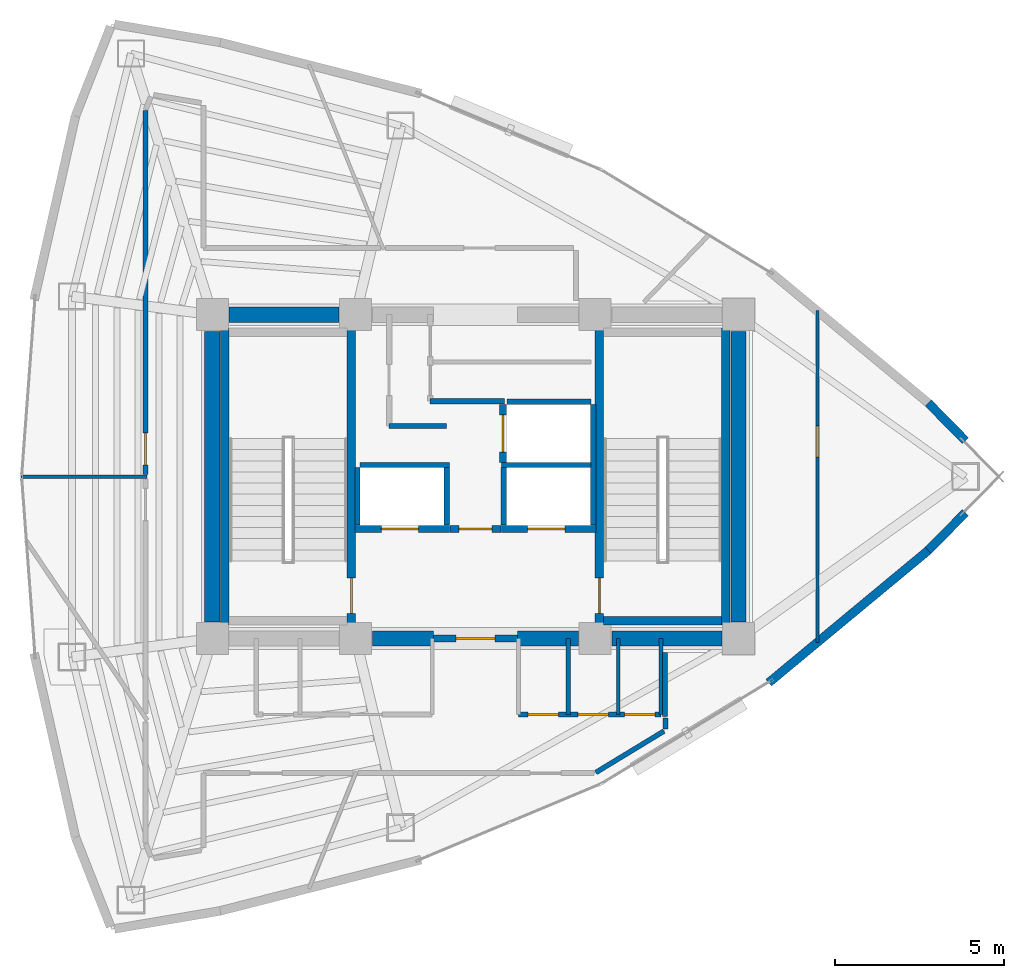
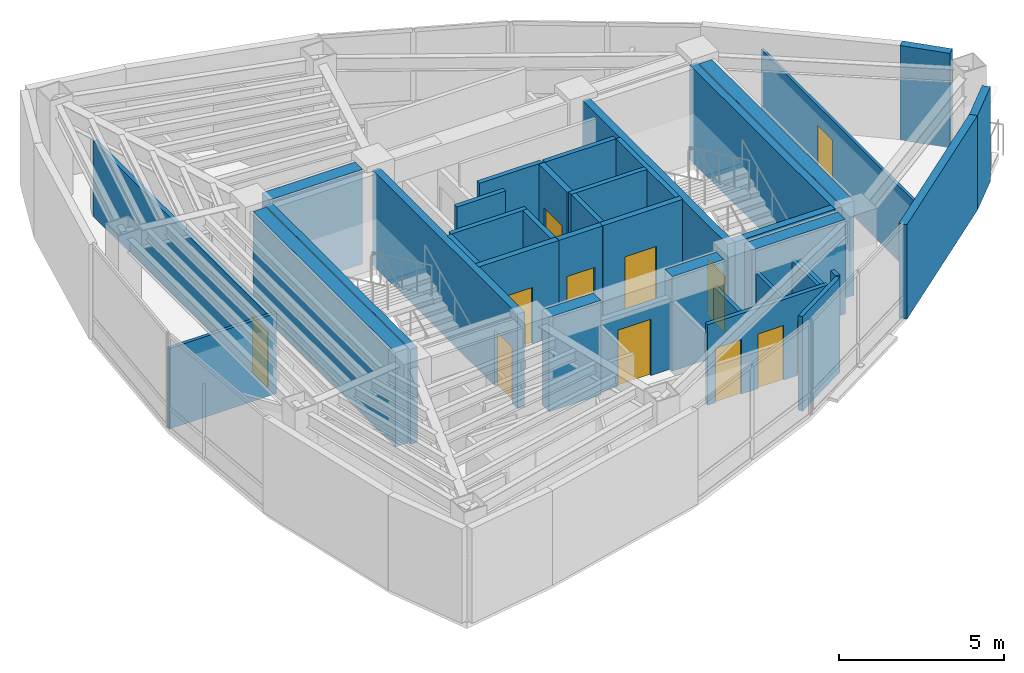
# One storey, part 12 of 15: 38 walls, 12 doors, 12 openings.
"""IFC4 building model written with IfcOpenShell, lengths in metres."""

from ifc_helpers import new_model, si_unit, direction, frame, frame_2d, origin, place, context, subcontext, project, spatial, rectangle, extrude, material, layer, layer_set, type_object, element, fill, save


model = new_model("IFC4")

# Units and contexts
model_context = context("Model", 3, precision=1e-05, world=origin(), true_north=direction((0.0, 1.0)))
body_context = subcontext(model_context, "Body", "Model", "MODEL_VIEW")
ifc_project = project(units=[si_unit("LENGTHUNIT", "METRE"), si_unit("AREAUNIT", "SQUARE_METRE"), si_unit("VOLUMEUNIT", "CUBIC_METRE"), si_unit("PLANEANGLEUNIT", "RADIAN"), si_unit("MASSUNIT", "GRAM", prefix="KILO")], contexts=[model_context])

# Site, building, storey
site_placement = place(None, origin())
site = spatial("IfcSite", under=ifc_project, at=site_placement, CompositionType="ELEMENT")
building_placement = place(site_placement, origin())
building = spatial("IfcBuilding", under=site, at=building_placement, Name="Menara Vayukalpa", CompositionType="ELEMENT")
storey_placement = place(building_placement, frame((0.0, 0.0, 265.739990234375)))
storey = spatial("IfcBuildingStorey", under=building, at=storey_placement, Name="L67", CompositionType="ELEMENT", Elevation=265.739990234375)

# Walls
ifc_material_1 = material(Name="Concrete C50/60", Category="concrete")
ifc_layer_1 = layer(ifc_material_1, 0.449951171875)
ifc_layer_set_1 = layer_set([ifc_layer_1], Name="Concrete C50/60")
wall_type_1 = type_object("IfcWallType", Name="WAL-CW450", PredefinedType="SHEAR", material=ifc_layer_set_1)
wall_1_placement = place(storey_placement, frame((22.544921875, 17.199951171875, 0.0), z_axis=(0.0, 0.0, 1.0), x_axis=(1.0, 0.0, 0.0)))
element("IfcWall", 1, at=wall_1_placement, inside=storey, type_object=wall_type_1, Name="L67 Buttressed Core Shear Wall CWS2", PredefinedType="SHEAR", context=body_context, shape_type="SweptSolid", body=[
    extrude(rectangle(XDim=1.80517578125, YDim=0.449951171875, at=frame_2d((0.902587890625, 0.0))), origin(), (0.0, 0.0, 1.0), 3.5),
])
wall_2_placement = place(storey_placement, frame((26.85009765625, 17.199951171875, 0.0), z_axis=(0.0, 0.0, 1.0), x_axis=(1.0, 0.0, 0.0)))
element("IfcWall", 2, at=wall_2_placement, inside=storey, type_object=wall_type_1, Name="L67 Buttressed Core Shear Wall CWS3", PredefinedType="SHEAR", context=body_context, shape_type="SweptSolid", body=[
    extrude(rectangle(XDim=1.804931640625, YDim=0.449951171875, at=frame_2d((0.90234375, 0.0))), origin(), (0.0, 0.0, 1.0), 3.5),
])
for number, where, z_axis, x_axis, name in (
    (3, (29.64501953125, 17.199951171875, 0.0), (0.0, 0.0, 1.0), (1.0, 0.0, 0.0), "L67 Buttressed Core Shear Wall CWS4"),
    (4, (18.294921875, 26.800048828125, 0.0), (0.0, 0.0, 1.0), (1.0, 0.0, 0.0), "L67 Buttressed Core Shear Wall CWN1"),
):
    element("IfcWall", number, at=place(storey_placement, frame(where, z_axis=z_axis, x_axis=x_axis)), inside=storey, type_object=wall_type_1, Name=name, PredefinedType="SHEAR", context=body_context, shape_type="SweptSolid", body=[
        extrude(rectangle(XDim=3.260009765625, YDim=0.449951171875, at=frame_2d((1.6298828125, 0.0))), origin(), (0.0, 0.0, 1.0), 3.5),
    ])
for number, where, z_axis, x_axis, name in (
    (5, (17.800048828125, 17.695068359375, 0.0), (0.0, 0.0, 1.0), (0.0, 1.0, 0.0), "L67 Buttressed Core Shear Wall CWW1"),
    (6, (33.39990234375, 17.695068359375, 0.0), (0.0, 0.0, 1.0), (0.0, 1.0, 0.0), "L67 Buttressed Core Shear Wall CWE1"),
):
    element("IfcWall", number, at=place(storey_placement, frame(where, z_axis=z_axis, x_axis=x_axis)), inside=storey, type_object=wall_type_1, Name=name, PredefinedType="SHEAR", context=body_context, shape_type="SweptSolid", body=[
        extrude(rectangle(XDim=8.60986328125, YDim=0.449951171875, at=frame_2d((4.304931640625, 0.0))), origin(), (0.0, 0.0, 1.0), 3.5),
    ])
ifc_material_2 = material(Name="Insulated Precast Concrete C40/50", Category="concrete")
ifc_layer_2 = layer(ifc_material_2, 0.260009765625)
ifc_layer_set_2 = layer_set([ifc_layer_2], Name="Insulated Precast Concrete C40/50")
wall_type_2 = type_object("IfcWallType", Name="WAL-EXT260", PredefinedType="PARTITIONING", material=ifc_layer_set_2)
for number, where, z_axis, x_axis, name in (
    (7, (40.1240234375, 20.932861328125, 0.0), (0.0, 0.0, 1.0), (-0.700470648387, -0.71368121087, 0.0), "L67 Perimeter Terracotta Pier Wall 01"),
    (8, (39.023681640625, 24.188232421875, 0.0), (0.0, 0.0, 1.0), (0.700470648387, -0.71368121087, 0.0), "L67 Perimeter Terracotta Pier Wall 02"),
):
    element("IfcWall", number, at=place(storey_placement, frame(where, z_axis=z_axis, x_axis=x_axis)), inside=storey, type_object=wall_type_2, Name=name, PredefinedType="PARTITIONING", context=body_context, shape_type="SweptSolid", body=[
        extrude(rectangle(XDim=1.57080078125, YDim=0.260009765625, at=frame_2d((0.785400390625, 0.0))), origin(), (0.0, 0.0, 1.0), 3.5),
    ])
wall_3_placement = place(storey_placement, frame((39.032470703125, 19.81982421875, 0.0), z_axis=(0.0, 0.0, 1.0), x_axis=(-0.769779830138, -0.638309496337, 0.0)))
element("IfcWall", 9, at=wall_3_placement, inside=storey, type_object=wall_type_2, Name="L67 Perimeter Terracotta Pier Wall 18", PredefinedType="PARTITIONING", context=body_context, shape_type="SweptSolid", body=[
    extrude(rectangle(XDim=6.154052734375, YDim=0.260009765625, at=frame_2d((3.0771484375, 0.0))), origin(), (0.0, 0.0, 1.0), 3.5),
])
ifc_material_3 = material(Name="Lightweight Concrete Blockwork C16/20", Category="masonry")
ifc_layer_3 = layer(ifc_material_3, 0.159912109375)
ifc_layer_set_3 = layer_set([ifc_layer_3], Name="Lightweight Concrete Blockwork C16/20")
wall_type_3 = type_object("IfcWallType", Name="WAL-FR150", PredefinedType="PARTITIONING", material=ifc_layer_set_3)
for number, where, z_axis, x_axis, name in (
    (10, (22.10498046875, 20.56005859375, 0.0), (0.0, 0.0, 1.0), (0.0, 1.0, 0.0), "L67 Interior Partition IW-L67-SHW-WW"),
    (11, (24.7548828125, 20.56005859375, 0.0), (0.0, 0.0, 1.0), (0.0, 1.0, 0.0), "L67 Interior Partition IW-L67-SHW-W1E"),
):
    element("IfcWall", number, at=place(storey_placement, frame(where, z_axis=z_axis, x_axis=x_axis)), inside=storey, type_object=wall_type_3, Name=name, PredefinedType="PARTITIONING", context=body_context, shape_type="SweptSolid", body=[
        extrude(rectangle(XDim=1.7099609375, YDim=0.159912109375, at=frame_2d((0.85498046875, 0.0))), origin(), (0.0, 0.0, 1.0), 3.5),
    ])
wall_4_placement = place(storey_placement, frame((22.179931640625, 22.344970703125, 0.0), z_axis=(0.0, 0.0, 1.0), x_axis=(1.0, 0.0, 0.0)))
element("IfcWall", 12, at=wall_4_placement, inside=storey, type_object=wall_type_3, Name="L67 Interior Partition IW-L67-SHM-W12", PredefinedType="PARTITIONING", context=body_context, shape_type="SweptSolid", body=[
    extrude(rectangle(XDim=2.650146484375, YDim=0.159912109375, at=frame_2d((1.3251953125, 0.0))), origin(), (0.0, 0.0, 1.0), 3.5),
])
wall_5_placement = place(storey_placement, frame((29.094970703125, 20.56005859375, 0.0), z_axis=(0.0, 0.0, 1.0), x_axis=(0.0, 1.0, 0.0)))
element("IfcWall", 13, at=wall_5_placement, inside=storey, type_object=wall_type_3, Name="L67 Interior Partition IW-L67-SHW-EE", PredefinedType="PARTITIONING", context=body_context, shape_type="SweptSolid", body=[
    extrude(rectangle(XDim=3.579833984375, YDim=0.159912109375, at=frame_2d((1.7900390625, 0.0))), origin(), (0.0, 0.0, 1.0), 3.5),
])
wall_6_placement = place(storey_placement, frame((26.445068359375, 20.56005859375, 0.0), z_axis=(0.0, 0.0, 1.0), x_axis=(0.0, 1.0, 0.0)))
element("IfcWall", 14, at=wall_6_placement, inside=storey, type_object=wall_type_3, Name="L67 Interior Partition IW-L67-SHW-E1W", PredefinedType="PARTITIONING", context=body_context, shape_type="SweptSolid", body=[
    extrude(rectangle(XDim=1.7099609375, YDim=0.159912109375, at=frame_2d((0.85498046875, 0.0))), origin(), (0.0, 0.0, 1.0), 3.5),
])
wall_7_placement = place(storey_placement, frame((26.3701171875, 22.344970703125, 0.0), z_axis=(0.0, 0.0, 1.0), x_axis=(1.0, 0.0, 0.0)))
element("IfcWall", 15, at=wall_7_placement, inside=storey, type_object=wall_type_3, Name="L67 Interior Partition IW-L67-SHM-E13", PredefinedType="PARTITIONING", context=body_context, shape_type="SweptSolid", body=[
    extrude(rectangle(XDim=2.64990234375, YDim=0.159912109375, at=frame_2d((1.324951171875, 0.0))), origin(), (0.0, 0.0, 1.0), 3.5),
])
wall_8_placement = place(storey_placement, frame((26.530029296875, 24.215087890625, 0.0), z_axis=(0.0, 0.0, 1.0), x_axis=(1.0, 0.0, 0.0)))
element("IfcWall", 16, at=wall_8_placement, inside=storey, type_object=wall_type_3, Name="L67 Interior Partition IW-L67-SHM-E32", PredefinedType="PARTITIONING", context=body_context, shape_type="SweptSolid", body=[
    extrude(rectangle(XDim=2.489990234375, YDim=0.159912109375, at=frame_2d((1.2451171875, 0.0))), origin(), (0.0, 0.0, 1.0), 3.5),
])
wall_9_placement = place(storey_placement, frame((23.0400390625, 23.5, 0.0), z_axis=(0.0, 0.0, 1.0), x_axis=(1.0, 0.0, 0.0)))
element("IfcWall", 17, at=wall_9_placement, inside=storey, type_object=wall_type_3, Name="L67 Interior Partition IW-L67-LV7WA", PredefinedType="PARTITIONING", context=body_context, shape_type="SweptSolid", body=[
    extrude(rectangle(XDim=1.699951171875, YDim=0.159912109375, at=frame_2d((0.85009765625, 0.0))), origin(), (0.0, 0.0, 1.0), 3.5),
])
wall_10_placement = place(storey_placement, frame((24.260009765625, 24.239990234375, 0.0), z_axis=(0.0, 0.0, 1.0), x_axis=(1.0, 0.0, 0.0)))
element("IfcWall", 18, at=wall_10_placement, inside=storey, type_object=wall_type_3, Name="L67 Interior Partition IW-L67-LV7EA", PredefinedType="PARTITIONING", context=body_context, shape_type="SweptSolid", body=[
    extrude(rectangle(XDim=2.199951171875, YDim=0.159912109375, at=frame_2d((1.10009765625, 0.0))), origin(), (0.0, 0.0, 1.0), 3.5),
])

# Wall, opening, door
ifc_material_4 = material(Name="Lightweight Concrete Blockwork C16/20", Category="masonry")
ifc_layer_4 = layer(ifc_material_4, 0.199951171875)
ifc_layer_set_4 = layer_set([ifc_layer_4], Name="Lightweight Concrete Blockwork C16/20")
wall_type_4 = type_object("IfcWallType", Name="WAL-FR200", PredefinedType="PARTITIONING", material=ifc_layer_set_4)
wall_11_placement = place(storey_placement, frame((24.35009765625, 17.199951171875, 0.0), z_axis=(0.0, 0.0, 1.0), x_axis=(1.0, 0.0, 0.0)))
wall_11 = element("IfcWall", 19, at=wall_11_placement, inside=storey, type_object=wall_type_4, Name="L67 Interior Partition IW-L67-FFLS", PredefinedType="PARTITIONING", context=body_context, shape_type="SweptSolid", body=[
    extrude(rectangle(XDim=2.5, YDim=0.199951171875, at=frame_2d((1.25, 0.0))), origin(), (0.0, 0.0, 1.0), 2.630126953125),
])
opening_1_placement = place(wall_11_placement, frame((0.679931640625, 0.0, 0.0)))
opening_1 = element("IfcOpeningElement", 20, at=opening_1_placement, cuts=wall_11, Name="Opening ID2", PredefinedType="OPENING", context=body_context, shape_type="SweptSolid", body=[
    extrude(rectangle(XDim=1.14990234375, YDim=2.080078125, at=frame_2d((0.574951171875, 1.0400390625))), frame((0.0, 0.10986328125, 0.0), z_axis=(0.0, -1.0, 0.0), x_axis=(1.0, 0.0, 0.0)), (0.0, 0.0, 1.0), 0.219970703125),
])
ifc_material_5 = material(Name="Fire-Rated Powder-Coated Steel Door", Category="steel")
door_type_1 = type_object("IfcDoorType", Name="DR-FD60W", OperationType="NOTDEFINED", PredefinedType="DOOR", material=ifc_material_5)
door_1_placement = place(opening_1_placement, origin())
door_1 = element("IfcDoor", 21, at=door_1_placement, inside=storey, type_object=door_type_1, Name="L67 Interior Door DR-L67-FFLS", OperationType="SINGLE_SWING_RIGHT", OverallHeight=2.080078125, OverallWidth=1.14990234375, PredefinedType="DOOR", context=body_context, shape_type="SweptSolid", body=[
    extrude(rectangle(XDim=1.14990234375, YDim=2.080078125, at=frame_2d((0.574951171875, 1.0400390625))), frame((0.0, 0.02490234375, 0.0), z_axis=(0.0, -1.0, 0.0), x_axis=(1.0, 0.0, 0.0)), (0.0, 0.0, 1.0), 0.050048828125),
])
fill(opening_1, door_1)

wall_12_placement = place(storey_placement, frame((24.840087890625, 20.449951171875, 0.0), z_axis=(0.0, 0.0, 1.0), x_axis=(1.0, 0.0, 0.0)))
wall_12 = element("IfcWall", 22, at=wall_12_placement, inside=storey, type_object=wall_type_4, Name="L67 Interior Partition IW-L67-FFLN", PredefinedType="PARTITIONING", context=body_context, shape_type="SweptSolid", body=[
    extrude(rectangle(XDim=1.52001953125, YDim=0.199951171875, at=frame_2d((0.760009765625, 0.0))), origin(), (0.0, 0.0, 1.0), 3.5),
])
opening_2_placement = place(wall_12_placement, frame((0.27001953125, 0.0, 0.0)))
opening_2 = element("IfcOpeningElement", 23, at=opening_2_placement, cuts=wall_12, Name="Opening ID3", PredefinedType="OPENING", context=body_context, shape_type="SweptSolid", body=[
    extrude(rectangle(XDim=0.97998046875, YDim=2.06005859375, at=frame_2d((0.489990234375, 1.030029296875))), frame((0.0, 0.10986328125, 0.0), z_axis=(0.0, -1.0, 0.0), x_axis=(1.0, 0.0, 0.0)), (0.0, 0.0, 1.0), 0.219970703125),
])
ifc_material_6 = material(Name="Fire-Rated Powder-Coated Steel Door", Category="steel")
door_type_2 = type_object("IfcDoorType", Name="DR-FD60", OperationType="NOTDEFINED", PredefinedType="DOOR", material=ifc_material_6)
door_2_placement = place(opening_2_placement, origin())
door_2 = element("IfcDoor", 24, at=door_2_placement, inside=storey, type_object=door_type_2, Name="L67 Interior Door DR-L67-FFLN", OperationType="SINGLE_SWING_LEFT", OverallHeight=2.06005859375, OverallWidth=0.97998046875, PredefinedType="DOOR", context=body_context, shape_type="SweptSolid", body=[
    extrude(rectangle(XDim=0.97998046875, YDim=2.06005859375, at=frame_2d((0.489990234375, 1.030029296875))), frame((0.0, 0.02490234375, 0.0), z_axis=(0.0, -1.0, 0.0), x_axis=(1.0, 0.0, 0.0)), (0.0, 0.0, 1.0), 0.050048828125),
])
fill(opening_2, door_2)

wall_13_placement = place(storey_placement, frame((22.030029296875, 20.449951171875, 0.0), z_axis=(0.0, 0.0, 1.0), x_axis=(1.0, 0.0, 0.0)))
wall_13 = element("IfcWall", 25, at=wall_13_placement, inside=storey, type_object=wall_type_4, Name="L67 Interior Partition IW-L67-SH-W1", PredefinedType="PARTITIONING", context=body_context, shape_type="SweptSolid", body=[
    extrude(rectangle(XDim=2.800048828125, YDim=0.199951171875, at=frame_2d((1.39990234375, 0.0))), origin(), (0.0, 0.0, 1.0), 3.5),
])
opening_3_placement = place(wall_13_placement, frame((0.780029296875, 0.0, 0.0)))
opening_3 = element("IfcOpeningElement", 26, at=opening_3_placement, cuts=wall_13, Name="Opening LD1", PredefinedType="OPENING", context=body_context, shape_type="SweptSolid", body=[
    extrude(rectangle(XDim=1.10009765625, YDim=2.080078125, at=frame_2d((0.550048828125, 1.0400390625))), frame((0.0, 0.10986328125, 0.0), z_axis=(0.0, -1.0, 0.0), x_axis=(1.0, 0.0, 0.0)), (0.0, 0.0, 1.0), 0.219970703125),
])
ifc_material_7 = material(Name="Brushed Stainless Steel 316 Lift Door", Category="steel")
door_type_3 = type_object("IfcDoorType", Name="DR-LD110", OperationType="NOTDEFINED", PredefinedType="DOOR", material=ifc_material_7)
door_3_placement = place(opening_3_placement, origin())
door_3 = element("IfcDoor", 27, at=door_3_placement, inside=storey, type_object=door_type_3, Name="L67 Interior Door DR-L67-LD-W1", OperationType="DOUBLE_DOOR_SLIDING", OverallHeight=2.080078125, OverallWidth=1.10009765625, PredefinedType="DOOR", context=body_context, shape_type="SweptSolid", body=[
    extrude(rectangle(XDim=1.10009765625, YDim=2.080078125, at=frame_2d((0.550048828125, 1.0400390625))), frame((0.0, 0.02490234375, 0.0), z_axis=(0.0, -1.0, 0.0), x_axis=(1.0, 0.0, 0.0)), (0.0, 0.0, 1.0), 0.050048828125),
])
fill(opening_3, door_3)

wall_14_placement = place(storey_placement, frame((26.3701171875, 20.449951171875, 0.0), z_axis=(0.0, 0.0, 1.0), x_axis=(1.0, 0.0, 0.0)))
wall_14 = element("IfcWall", 28, at=wall_14_placement, inside=storey, type_object=wall_type_4, Name="L67 Interior Partition IW-L67-SH-E1", PredefinedType="PARTITIONING", context=body_context, shape_type="SweptSolid", body=[
    extrude(rectangle(XDim=2.7998046875, YDim=0.199951171875, at=frame_2d((1.39990234375, 0.0))), origin(), (0.0, 0.0, 1.0), 3.5),
])
opening_4_placement = place(wall_14_placement, frame((0.780029296875, 0.0, 0.0)))
opening_4 = element("IfcOpeningElement", 29, at=opening_4_placement, cuts=wall_14, Name="Opening LD1", PredefinedType="OPENING", context=body_context, shape_type="SweptSolid", body=[
    extrude(rectangle(XDim=1.10009765625, YDim=2.080078125, at=frame_2d((0.550048828125, 1.0400390625))), frame((0.0, 0.10986328125, 0.0), z_axis=(0.0, -1.0, 0.0), x_axis=(1.0, 0.0, 0.0)), (0.0, 0.0, 1.0), 0.219970703125),
])
door_4_placement = place(opening_4_placement, origin())
door_4 = element("IfcDoor", 30, at=door_4_placement, inside=storey, type_object=door_type_3, Name="L67 Interior Door DR-L67-LD-E1", OperationType="DOUBLE_DOOR_SLIDING", OverallHeight=2.080078125, OverallWidth=1.10009765625, PredefinedType="DOOR", context=body_context, shape_type="SweptSolid", body=[
    extrude(rectangle(XDim=1.10009765625, YDim=2.080078125, at=frame_2d((0.550048828125, 1.0400390625))), frame((0.0, 0.02490234375, 0.0), z_axis=(0.0, -1.0, 0.0), x_axis=(1.0, 0.0, 0.0)), (0.0, 0.0, 1.0), 0.050048828125),
])
fill(opening_4, door_4)

wall_15_placement = place(storey_placement, frame((26.419921875, 22.419921875, 0.0), z_axis=(0.0, 0.0, 1.0), x_axis=(0.0, 1.0, 0.0)))
wall_15 = element("IfcWall", 31, at=wall_15_placement, inside=storey, type_object=wall_type_4, Name="L67 Interior Partition IW-L67-SH-E3", PredefinedType="PARTITIONING", context=body_context, shape_type="SweptSolid", body=[
    extrude(rectangle(XDim=1.719970703125, YDim=0.199951171875, at=frame_2d((0.85986328125, 0.0))), origin(), (0.0, 0.0, 1.0), 3.5),
])
opening_5_placement = place(wall_15_placement, frame((0.31005859375, 0.0, 0.0)))
opening_5 = element("IfcOpeningElement", 32, at=opening_5_placement, cuts=wall_15, Name="Opening LD1", PredefinedType="OPENING", context=body_context, shape_type="SweptSolid", body=[
    extrude(rectangle(XDim=1.10009765625, YDim=2.080078125, at=frame_2d((0.550048828125, 1.0400390625))), frame((0.0, 0.10986328125, 0.0), z_axis=(0.0, -1.0, 0.0), x_axis=(1.0, 0.0, 0.0)), (0.0, 0.0, 1.0), 0.219970703125),
])
door_5_placement = place(opening_5_placement, origin())
door_5 = element("IfcDoor", 33, at=door_5_placement, inside=storey, type_object=door_type_3, Name="L67 Interior Door DR-L67-LD-E3", OperationType="DOUBLE_DOOR_SLIDING", OverallHeight=2.080078125, OverallWidth=1.10009765625, PredefinedType="DOOR", context=body_context, shape_type="SweptSolid", body=[
    extrude(rectangle(XDim=1.10009765625, YDim=2.080078125, at=frame_2d((0.550048828125, 1.0400390625))), frame((0.0, 0.02490234375, 0.0), z_axis=(0.0, -1.0, 0.0), x_axis=(1.0, 0.0, 0.0)), (0.0, 0.0, 1.0), 0.050048828125),
])
fill(opening_5, door_5)

ifc_material_8 = material(Name="Glazed Demountable Office Partition", Category="glass")
ifc_layer_5 = layer(ifc_material_8, 0.094970703125)
ifc_layer_set_5 = layer_set([ifc_layer_5], Name="Glazed Demountable Office Partition")
wall_type_5 = type_object("IfcWallType", Name="WAL-PT100", PredefinedType="PARTITIONING", material=ifc_layer_set_5)
wall_16_placement = place(storey_placement, frame((35.741943359375, 17.078369140625, 0.0), z_axis=(0.0, 0.0, 1.0), x_axis=(0.0, 1.0, 0.0)))
wall_16 = element("IfcWall", 34, at=wall_16_placement, inside=storey, type_object=wall_type_5, Name="L67 Interior Partition IW-L67-RDIV06", PredefinedType="PARTITIONING", context=body_context, shape_type="SweptSolid", body=[
    extrude(rectangle(XDim=9.84326171875, YDim=0.094970703125, at=frame_2d((4.921630859375, 0.0))), origin(), (0.0, 0.0, 1.0), 2.780029296875),
])
opening_6_placement = place(wall_16_placement, frame((5.507080078125, 0.0, 0.0)))
opening_6 = element("IfcOpeningElement", 35, at=opening_6_placement, cuts=wall_16, Name="Opening ID6", PredefinedType="OPENING", context=body_context, shape_type="SweptSolid", body=[
    extrude(rectangle(XDim=0.919921875, YDim=2.050048828125, at=frame_2d((0.4599609375, 1.02490234375))), frame((0.0, 0.057373046875, 0.0), z_axis=(0.0, -1.0, 0.0), x_axis=(1.0, 0.0, 0.0)), (0.0, 0.0, 1.0), 0.114990234375),
])
ifc_material_9 = material(Name="Acoustic Hardwood Veneer Timber Door", Category="wood")
door_type_4 = type_object("IfcDoorType", Name="DR-INT92", OperationType="NOTDEFINED", PredefinedType="DOOR", material=ifc_material_9)
door_6_placement = place(opening_6_placement, origin())
door_6 = element("IfcDoor", 36, at=door_6_placement, inside=storey, type_object=door_type_4, Name="L67 Interior Door DR-L67-STE05", OperationType="SINGLE_SWING_LEFT", OverallHeight=2.050048828125, OverallWidth=0.919921875, PredefinedType="DOOR", context=body_context, shape_type="SweptSolid", body=[
    extrude(rectangle(XDim=0.919921875, YDim=2.050048828125, at=frame_2d((0.4599609375, 1.02490234375))), frame((0.0, 0.02490234375, 0.0), z_axis=(0.0, -1.0, 0.0), x_axis=(1.0, 0.0, 0.0)), (0.0, 0.0, 1.0), 0.050048828125),
])
fill(opening_6, door_6)

# Walls
ifc_material_10 = material(Name="Acoustic Mineral Stud Partition", Category="masonry")
ifc_layer_6 = layer(ifc_material_10, 0.110107421875)
ifc_layer_set_6 = layer_set([ifc_layer_6], Name="Acoustic Mineral Stud Partition")
wall_type_6 = type_object("IfcWallType", Name="WAL-PT110", PredefinedType="PARTITIONING", material=ifc_layer_set_6)
wall_17_placement = place(storey_placement, frame((29.830078125, 14.949951171875, 0.0), z_axis=(0.0, 0.0, 1.0), x_axis=(0.0, 1.0, 0.0)))
element("IfcWall", 37, at=wall_17_placement, inside=storey, type_object=wall_type_6, Name="L67 Interior Partition IW-L67-SVCD-06", PredefinedType="PARTITIONING", context=body_context, shape_type="SweptSolid", body=[
    extrude(rectangle(XDim=2.25, YDim=0.110107421875, at=frame_2d((1.125, 0.0))), origin(), (0.0, 0.0, 1.0), 2.630126953125),
])
wall_18_placement = place(storey_placement, frame((15.8701171875, 22.0, 0.0), z_axis=(0.0, 0.0, 1.0), x_axis=(-1.0, 0.0, 0.0)))
element("IfcWall", 38, at=wall_18_placement, inside=storey, type_object=wall_type_6, Name="L67 Interior Partition IW-L67-RDIV03", PredefinedType="PARTITIONING", context=body_context, shape_type="SweptSolid", body=[
    extrude(rectangle(XDim=3.7421875, YDim=0.110107421875, at=frame_2d((1.87109375, 0.0))), origin(), (0.0, 0.0, 1.0), 2.97998046875),
])
ifc_material_11 = material(Name="Gypsum Drywall Steel Stud Assembly", Category="steel")
ifc_layer_7 = layer(ifc_material_11, 0.125)
ifc_layer_set_7 = layer_set([ifc_layer_7], Name="Gypsum Drywall Steel Stud Assembly")
wall_type_7 = type_object("IfcWallType", Name="WAL-PT125", PredefinedType="PARTITIONING", material=ifc_layer_set_7)
for number, where, z_axis, x_axis, name in (
    (39, (28.35009765625, 14.949951171875, 0.0), (0.0, 0.0, 1.0), (0.0, 1.0, 0.0), "L67 Interior Partition IW-L67-SVCD-05"),
    (40, (31.10009765625, 14.949951171875, 0.0), (0.0, 0.0, 1.0), (0.0, 1.0, 0.0), "L67 Interior Partition IW-L67-SVCD-07"),
):
    element("IfcWall", number, at=place(storey_placement, frame(where, z_axis=z_axis, x_axis=x_axis)), inside=storey, type_object=wall_type_7, Name=name, PredefinedType="PARTITIONING", context=body_context, shape_type="SweptSolid", body=[
        extrude(rectangle(XDim=2.25, YDim=0.125, at=frame_2d((1.125, 0.0))), origin(), (0.0, 0.0, 1.0), 2.630126953125),
    ])

# Wall, openings, doors
ifc_material_12 = material(Name="Gypsum Drywall Acoustic Stud Assembly", Category="masonry")
ifc_layer_8 = layer(ifc_material_12, 0.14501953125)
ifc_layer_set_8 = layer_set([ifc_layer_8], Name="Gypsum Drywall Acoustic Stud Assembly")
wall_type_8 = type_object("IfcWallType", Name="WAL-PT150", PredefinedType="PARTITIONING", material=ifc_layer_set_8)
wall_19_placement = place(storey_placement, frame((26.8798828125, 14.949951171875, 0.0), z_axis=(0.0, 0.0, 1.0), x_axis=(1.0, 0.0, 0.0)))
wall_19 = element("IfcWall", 41, at=wall_19_placement, inside=storey, type_object=wall_type_8, Name="L67 Interior Partition IW-L67-SVCS-E", PredefinedType="PARTITIONING", context=body_context, shape_type="SweptSolid", body=[
    extrude(rectangle(XDim=4.22021484375, YDim=0.14501953125, at=frame_2d((2.110107421875, 0.0))), origin(), (0.0, 0.0, 1.0), 2.97998046875),
])
opening_7_placement = place(wall_19_placement, frame((0.280029296875, 0.0, 0.0)))
opening_7 = element("IfcOpeningElement", 42, at=opening_7_placement, cuts=wall_19, Name="Opening ID7", PredefinedType="OPENING", context=body_context, shape_type="SweptSolid", body=[
    extrude(rectangle(XDim=0.89990234375, YDim=2.02001953125, at=frame_2d((0.449951171875, 1.010009765625))), frame((0.0, 0.08251953125, 0.0), z_axis=(0.0, -1.0, 0.0), x_axis=(1.0, 0.0, 0.0)), (0.0, 0.0, 1.0), 0.1650390625),
])
opening_8_placement = place(wall_19_placement, frame((1.760009765625, 0.0, 0.0)))
opening_8 = element("IfcOpeningElement", 43, at=opening_8_placement, cuts=wall_19, Name="Opening ID7", PredefinedType="OPENING", context=body_context, shape_type="SweptSolid", body=[
    extrude(rectangle(XDim=0.89990234375, YDim=2.02001953125, at=frame_2d((0.449951171875, 1.010009765625))), frame((0.0, 0.08251953125, 0.0), z_axis=(0.0, -1.0, 0.0), x_axis=(1.0, 0.0, 0.0)), (0.0, 0.0, 1.0), 0.1650390625),
])
opening_9_placement = place(wall_19_placement, frame((3.139892578125, 0.0, 0.0)))
opening_9 = element("IfcOpeningElement", 44, at=opening_9_placement, cuts=wall_19, Name="Opening ID7", PredefinedType="OPENING", context=body_context, shape_type="SweptSolid", body=[
    extrude(rectangle(XDim=0.89990234375, YDim=2.02001953125, at=frame_2d((0.449951171875, 1.010009765625))), frame((0.0, 0.08251953125, 0.0), z_axis=(0.0, -1.0, 0.0), x_axis=(1.0, 0.0, 0.0)), (0.0, 0.0, 1.0), 0.1650390625),
])
ifc_material_13 = material(Name="Powder-Coated Steel Riser Access Door", Category="steel")
door_type_5 = type_object("IfcDoorType", Name="DR-RISER", OperationType="NOTDEFINED", PredefinedType="DOOR", material=ifc_material_13)
door_7_placement = place(opening_7_placement, origin())
door_7 = element("IfcDoor", 45, at=door_7_placement, inside=storey, type_object=door_type_5, Name="L67 Interior Door DR-L67-KSV1", OperationType="SINGLE_SWING_LEFT", OverallHeight=2.02001953125, OverallWidth=0.89990234375, PredefinedType="DOOR", context=body_context, shape_type="SweptSolid", body=[
    extrude(rectangle(XDim=0.89990234375, YDim=2.02001953125, at=frame_2d((0.449951171875, 1.010009765625))), frame((0.0, 0.02490234375, 0.0), z_axis=(0.0, -1.0, 0.0), x_axis=(1.0, 0.0, 0.0)), (0.0, 0.0, 1.0), 0.050048828125),
])
fill(opening_7, door_7)
door_8_placement = place(opening_8_placement, origin())
door_8 = element("IfcDoor", 46, at=door_8_placement, inside=storey, type_object=door_type_5, Name="L67 Interior Door DR-L67-KSV2", OperationType="SINGLE_SWING_RIGHT", OverallHeight=2.02001953125, OverallWidth=0.89990234375, PredefinedType="DOOR", context=body_context, shape_type="SweptSolid", body=[
    extrude(rectangle(XDim=0.89990234375, YDim=2.02001953125, at=frame_2d((0.449951171875, 1.010009765625))), frame((0.0, 0.02490234375, 0.0), z_axis=(0.0, -1.0, 0.0), x_axis=(1.0, 0.0, 0.0)), (0.0, 0.0, 1.0), 0.050048828125),
])
fill(opening_8, door_8)
door_9_placement = place(opening_9_placement, origin())
door_9 = element("IfcDoor", 47, at=door_9_placement, inside=storey, type_object=door_type_5, Name="L67 Interior Door DR-L67-SMD", OperationType="SINGLE_SWING_LEFT", OverallHeight=2.02001953125, OverallWidth=0.89990234375, PredefinedType="DOOR", context=body_context, shape_type="SweptSolid", body=[
    extrude(rectangle(XDim=0.89990234375, YDim=2.02001953125, at=frame_2d((0.449951171875, 1.010009765625))), frame((0.0, 0.02490234375, 0.0), z_axis=(0.0, -1.0, 0.0), x_axis=(1.0, 0.0, 0.0)), (0.0, 0.0, 1.0), 0.050048828125),
])
fill(opening_9, door_9)

# Walls
wall_20_placement = place(storey_placement, frame((29.167724609375, 13.228515625, 0.0), z_axis=(0.0, 0.0, 1.0), x_axis=(0.854678044033, 0.519158396876, 0.0)))
element("IfcWall", 48, at=wall_20_placement, inside=storey, type_object=wall_type_8, Name="L67 Interior Partition IW-L67-CRM04-2", PredefinedType="PARTITIONING", context=body_context, shape_type="SweptSolid", body=[
    extrude(rectangle(XDim=2.36767578125, YDim=0.14501953125, at=frame_2d((1.183837890625, 0.0))), origin(), (0.0, 0.0, 1.0), 3.5),
])
wall_21_placement = place(storey_placement, frame((31.22998046875, 14.526123046875, 0.0), z_axis=(0.0, 0.0, 1.0), x_axis=(0.0, 1.0, 0.0)))
element("IfcWall", 49, at=wall_21_placement, inside=storey, type_object=wall_type_8, Name="L67 Interior Partition IW-L67-CRM04-3", PredefinedType="PARTITIONING", context=body_context, shape_type="SweptSolid", body=[
    extrude(rectangle(XDim=0.323974609375, YDim=0.14501953125, at=frame_2d((0.162109375, 0.0))), origin(), (0.0, 0.0, 1.0), 3.5),
])
wall_22_placement = place(storey_placement, frame((31.219970703125, 14.888671875, 0.0), z_axis=(0.0, 0.0, 1.0), x_axis=(0.0, 1.0, 0.0)))
element("IfcWall", 50, at=wall_22_placement, inside=storey, type_object=wall_type_8, Name="L67 Interior Partition IW-L67-CRM04-4", PredefinedType="PARTITIONING", context=body_context, shape_type="SweptSolid", body=[
    extrude(rectangle(XDim=1.891357421875, YDim=0.14501953125, at=frame_2d((0.94580078125, 0.0))), origin(), (0.0, 0.0, 1.0), 2.630126953125),
])

# Wall, opening, door
wall_23_placement = place(storey_placement, frame((15.820068359375, 32.853759765625, 0.0), z_axis=(0.0, 0.0, 1.0), x_axis=(0.0, -1.0, 0.0)))
wall_23 = element("IfcWall", 51, at=wall_23_placement, inside=storey, type_object=wall_type_8, Name="L67 Interior Partition IW-L67-CRM07-5", PredefinedType="PARTITIONING", context=body_context, shape_type="SweptSolid", body=[
    extrude(rectangle(XDim=10.78369140625, YDim=0.14501953125, at=frame_2d((5.391845703125, 0.0))), origin(), (0.0, 0.0, 1.0), 2.780029296875),
])
opening_10_placement = place(wall_23_placement, frame((9.5537109375, 0.0, 0.0)))
opening_10 = element("IfcOpeningElement", 52, at=opening_10_placement, cuts=wall_23, Name="Opening ID5", PredefinedType="OPENING", context=body_context, shape_type="SweptSolid", body=[
    extrude(rectangle(XDim=0.949951171875, YDim=2.06005859375, at=frame_2d((0.47509765625, 1.030029296875))), frame((0.0, 0.08251953125, 0.0), z_axis=(0.0, -1.0, 0.0), x_axis=(1.0, 0.0, 0.0)), (0.0, 0.0, 1.0), 0.1650390625),
])
ifc_material_14 = material(Name="Acoustic Hardwood Veneer Timber Door", Category="wood")
door_type_6 = type_object("IfcDoorType", Name="DR-INT95", OperationType="NOTDEFINED", PredefinedType="DOOR", material=ifc_material_14)
door_10_placement = place(opening_10_placement, origin())
door_10 = element("IfcDoor", 53, at=door_10_placement, inside=storey, type_object=door_type_6, Name="L67 Interior Door DR-L67-RM07", OperationType="SINGLE_SWING_RIGHT", OverallHeight=2.06005859375, OverallWidth=0.949951171875, PredefinedType="DOOR", context=body_context, shape_type="SweptSolid", body=[
    extrude(rectangle(XDim=0.949951171875, YDim=2.06005859375, at=frame_2d((0.47509765625, 1.030029296875))), frame((0.0, 0.02490234375, 0.0), z_axis=(0.0, -1.0, 0.0), x_axis=(1.0, 0.0, 0.0)), (0.0, 0.0, 1.0), 0.050048828125),
])
fill(opening_10, door_10)

# Wall
ifc_material_15 = material(Name="Concrete C50/60", Category="concrete")
ifc_layer_9 = layer(ifc_material_15, 0.25)
ifc_layer_set_9 = layer_set([ifc_layer_9], Name="Concrete C50/60")
wall_type_9 = type_object("IfcWallType", Name="WAL-SW250", PredefinedType="SHEAR", material=ifc_layer_set_9)
wall_24_placement = place(storey_placement, frame((18.175048828125, 17.60009765625, 0.0), z_axis=(0.0, 0.0, 1.0), x_axis=(0.0, 1.0, 0.0)))
element("IfcWall", 54, at=wall_24_placement, inside=storey, type_object=wall_type_9, Name="L67 ST1 Structural Stair Shaft Wall W", PredefinedType="SHEAR", context=body_context, shape_type="SweptSolid", body=[
    extrude(rectangle(XDim=8.7998046875, YDim=0.25, at=frame_2d((4.39990234375, 0.0))), origin(), (0.0, 0.0, 1.0), 3.5),
])

# Wall, opening, door
wall_25_placement = place(storey_placement, frame((21.925048828125, 17.60009765625, 0.0), z_axis=(0.0, 0.0, 1.0), x_axis=(0.0, 1.0, 0.0)))
wall_25 = element("IfcWall", 55, at=wall_25_placement, inside=storey, type_object=wall_type_9, Name="L67 ST1 Structural Stair Shaft Wall E", PredefinedType="SHEAR", context=body_context, shape_type="SweptSolid", body=[
    extrude(rectangle(XDim=8.7998046875, YDim=0.25, at=frame_2d((4.39990234375, 0.0))), origin(), (0.0, 0.0, 1.0), 3.5),
])
opening_11_placement = place(wall_25_placement, frame((0.35009765625, 0.0, 0.0)))
opening_11 = element("IfcOpeningElement", 56, at=opening_11_placement, cuts=wall_25, Name="Opening ID1", PredefinedType="OPENING", context=body_context, shape_type="SweptSolid", body=[
    extrude(rectangle(XDim=1.050048828125, YDim=2.080078125, at=frame_2d((0.52490234375, 1.0400390625))), frame((0.0, 0.135009765625, 0.0), z_axis=(0.0, -1.0, 0.0), x_axis=(1.0, 0.0, 0.0)), (0.0, 0.0, 1.0), 0.27001953125),
])
ifc_material_16 = material(Name="Fire-Rated Powder-Coated Steel Door", Category="steel")
door_type_7 = type_object("IfcDoorType", Name="DR-FD120", OperationType="NOTDEFINED", PredefinedType="DOOR", material=ifc_material_16)
door_11_placement = place(opening_11_placement, origin())
door_11 = element("IfcDoor", 57, at=door_11_placement, inside=storey, type_object=door_type_7, Name="L67 Stair Exit Door DR-L67-ST1", OperationType="SINGLE_SWING_LEFT", OverallHeight=2.080078125, OverallWidth=1.050048828125, PredefinedType="DOOR", context=body_context, shape_type="SweptSolid", body=[
    extrude(rectangle(XDim=1.050048828125, YDim=2.080078125, at=frame_2d((0.52490234375, 1.0400390625))), frame((0.0, 0.02490234375, 0.0), z_axis=(0.0, -1.0, 0.0), x_axis=(1.0, 0.0, 0.0)), (0.0, 0.0, 1.0), 0.050048828125),
])
fill(opening_11, door_11)

wall_26_placement = place(storey_placement, frame((29.27490234375, 17.60009765625, 0.0), z_axis=(0.0, 0.0, 1.0), x_axis=(0.0, 1.0, 0.0)))
wall_26 = element("IfcWall", 58, at=wall_26_placement, inside=storey, type_object=wall_type_9, Name="L67 ST2 Structural Stair Shaft Wall W", PredefinedType="SHEAR", context=body_context, shape_type="SweptSolid", body=[
    extrude(rectangle(XDim=8.7998046875, YDim=0.25, at=frame_2d((4.39990234375, 0.0))), origin(), (0.0, 0.0, 1.0), 3.5),
])
opening_12_placement = place(wall_26_placement, frame((0.35009765625, 0.0, 0.0)))
opening_12 = element("IfcOpeningElement", 59, at=opening_12_placement, cuts=wall_26, Name="Opening ID1", PredefinedType="OPENING", context=body_context, shape_type="SweptSolid", body=[
    extrude(rectangle(XDim=1.050048828125, YDim=2.080078125, at=frame_2d((0.52490234375, 1.0400390625))), frame((0.0, 0.135009765625, 0.0), z_axis=(0.0, -1.0, 0.0), x_axis=(1.0, 0.0, 0.0)), (0.0, 0.0, 1.0), 0.27001953125),
])
door_12_placement = place(opening_12_placement, origin())
door_12 = element("IfcDoor", 60, at=door_12_placement, inside=storey, type_object=door_type_7, Name="L67 Stair Exit Door DR-L67-ST2", OperationType="SINGLE_SWING_RIGHT", OverallHeight=2.080078125, OverallWidth=1.050048828125, PredefinedType="DOOR", context=body_context, shape_type="SweptSolid", body=[
    extrude(rectangle(XDim=1.050048828125, YDim=2.080078125, at=frame_2d((0.52490234375, 1.0400390625))), frame((0.0, 0.02490234375, 0.0), z_axis=(0.0, -1.0, 0.0), x_axis=(1.0, 0.0, 0.0)), (0.0, 0.0, 1.0), 0.050048828125),
])
fill(opening_12, door_12)

# Walls
wall_27_placement = place(storey_placement, frame((33.02490234375, 17.60009765625, 0.0), z_axis=(0.0, 0.0, 1.0), x_axis=(0.0, 1.0, 0.0)))
element("IfcWall", 61, at=wall_27_placement, inside=storey, type_object=wall_type_9, Name="L67 ST2 Structural Stair Shaft Wall E", PredefinedType="SHEAR", context=body_context, shape_type="SweptSolid", body=[
    extrude(rectangle(XDim=8.7998046875, YDim=0.25, at=frame_2d((4.39990234375, 0.0))), origin(), (0.0, 0.0, 1.0), 3.5),
])
wall_28_placement = place(storey_placement, frame((29.39990234375, 17.72509765625, 0.0), z_axis=(0.0, 0.0, 1.0), x_axis=(1.0, 0.0, 0.0)))
element("IfcWall", 62, at=wall_28_placement, inside=storey, type_object=wall_type_9, Name="L67 ST2 Structural Stair Shaft Wall S", PredefinedType="SHEAR", context=body_context, shape_type="SweptSolid", body=[
    extrude(rectangle(XDim=3.5, YDim=0.25, at=frame_2d((1.75, 0.0))), origin(), (0.0, 0.0, 1.0), 3.5),
])

save(model, "model.ifc")
